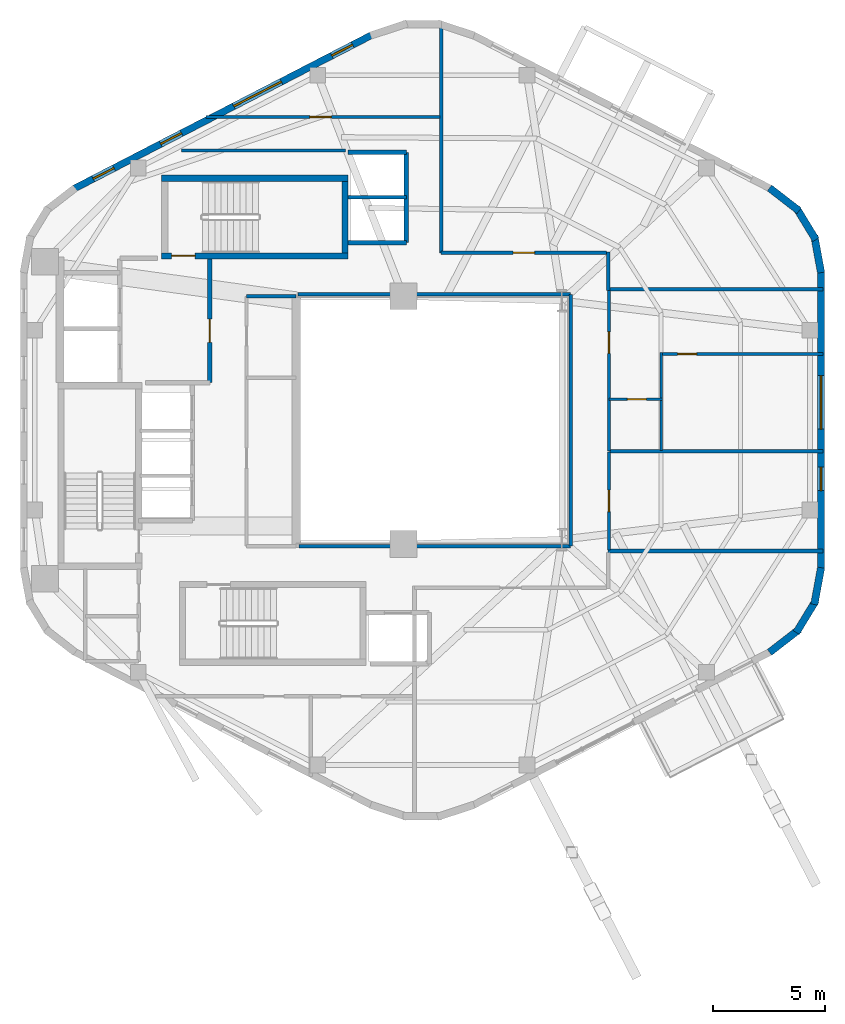
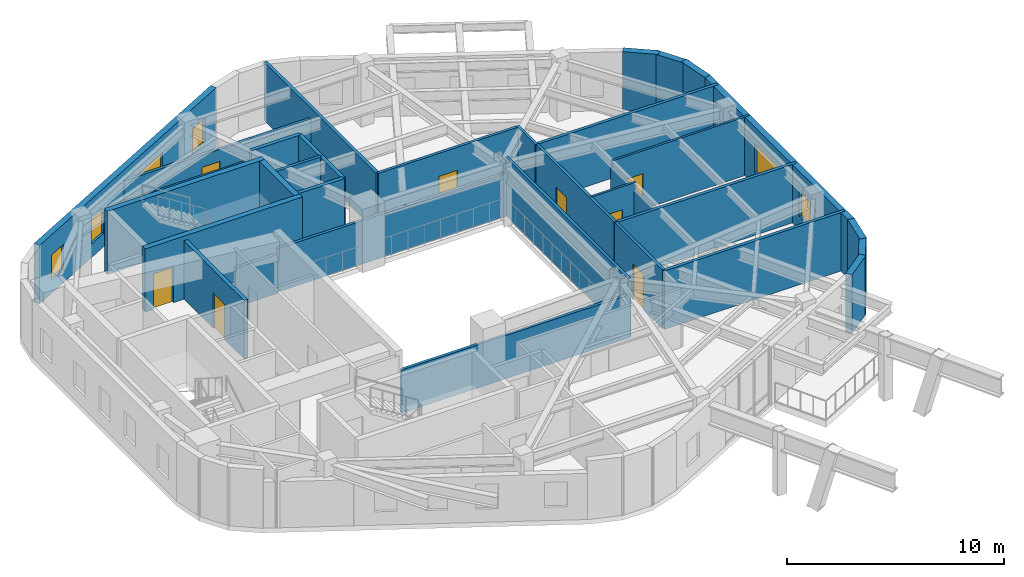
# One storey, part 8 of 10: 33 walls, 8 doors, 6 windows, 14 openings.
"""IFC4 building model written with IfcOpenShell, lengths in metres."""

from ifc_helpers import new_model, si_unit, direction, frame, frame_2d, origin, place, context, subcontext, project, spatial, rectangle, extrude, material, layer, layer_set, type_object, element, fill, save


model = new_model("IFC4")

# Units and contexts
model_context = context("Model", 3, precision=1e-05, world=origin(), true_north=direction((0.0, 1.0)))
body_context = subcontext(model_context, "Body", "Model", "MODEL_VIEW")
ifc_project = project(units=[si_unit("LENGTHUNIT", "METRE"), si_unit("AREAUNIT", "SQUARE_METRE"), si_unit("VOLUMEUNIT", "CUBIC_METRE"), si_unit("PLANEANGLEUNIT", "RADIAN"), si_unit("MASSUNIT", "GRAM", prefix="KILO"), si_unit("THERMODYNAMICTEMPERATUREUNIT", "KELVIN"), si_unit("POWERUNIT", "WATT")], contexts=[model_context])

# Site, building, storey
site_placement = place(None, origin())
site = spatial("IfcSite", under=ifc_project, at=site_placement, CompositionType="ELEMENT")
building_placement = place(site_placement, origin())
building = spatial("IfcBuilding", under=site, at=building_placement, Name="Skarre Station Tower", CompositionType="ELEMENT")
storey_placement = place(building_placement, frame((0.0, 0.0, 224.14990234375)))
storey = spatial("IfcBuildingStorey", under=building, at=storey_placement, Name="L61", CompositionType="ELEMENT", Elevation=224.14990234375)

# Walls
ifc_material_1 = material(Name="Acoustic Steel-Stud Gypsum Partition", Category="steel")
ifc_layer_1 = layer(ifc_material_1, 0.14990234375, Name="Acoustic Steel-Stud Gypsum Partition")
ifc_layer_set_1 = layer_set([ifc_layer_1], Name="Acoustic Steel-Stud Gypsum Partition")
wall_type_1 = type_object("IfcWallType", Name="Fire-Rated Corridor Acoustic Partition 150", PredefinedType="PARTITIONING", material=ifc_layer_set_1)
wall_1_placement = place(storey_placement, frame((27.550048828125, 29.550048828125, 0.0), z_axis=(0.0, 0.0, 1.0), x_axis=(-1.0, 0.0, 0.0)))
element("IfcWall", 1, at=wall_1_placement, inside=storey, type_object=wall_type_1, Name="L61 Interior Partition WL-PT-L61-RC2-N", PredefinedType="PARTITIONING", context=body_context, shape_type="SweptSolid", body=[
    extrude(rectangle(XDim=2.22998046875, YDim=0.14990234375, at=frame_2d((1.114990234375, 0.0))), origin(), (0.0, 0.0, 1.0), 2.190185546875),
])
wall_2_placement = place(storey_placement, frame((27.675048828125, 18.360107421875, 0.0), z_axis=(0.0, 0.0, 1.0), x_axis=(1.0, 0.0, 0.0)))
element("IfcWall", 2, at=wall_2_placement, inside=storey, type_object=wall_type_1, Name="L61 Interior Partition WL-PT-L61-ATRW-S", PredefinedType="PARTITIONING", context=body_context, shape_type="SweptSolid", body=[
    extrude(rectangle(XDim=12.1650390625, YDim=0.14990234375, at=frame_2d((6.08251953125, 0.0))), origin(), (0.0, 0.0, 1.0), 2.43115234375),
])
wall_3_placement = place(storey_placement, frame((39.840087890625, 29.639892578125, 0.0), z_axis=(0.0, 0.0, 1.0), x_axis=(-1.0, 0.0, 0.0)))
element("IfcWall", 3, at=wall_3_placement, inside=storey, type_object=wall_type_1, Name="L61 Interior Partition WL-PT-L61-ATRW-N", PredefinedType="PARTITIONING", context=body_context, shape_type="SweptSolid", body=[
    extrude(rectangle(XDim=12.203125, YDim=0.14990234375, at=frame_2d((6.1015625, 0.0))), origin(), (0.0, 0.0, 1.0), 2.43115234375),
])
wall_4_placement = place(storey_placement, frame((39.840087890625, 18.360107421875, 0.0), z_axis=(0.0, 0.0, 1.0), x_axis=(0.0, 1.0, 0.0)))
element("IfcWall", 4, at=wall_4_placement, inside=storey, type_object=wall_type_1, Name="L61 Interior Partition WL-PT-L61-ATRW-E", PredefinedType="PARTITIONING", context=body_context, shape_type="SweptSolid", body=[
    extrude(rectangle(XDim=11.27978515625, YDim=0.14990234375, at=frame_2d((5.639892578125, 0.0))), origin(), (0.0, 0.0, 1.0), 3.2900390625),
])

# Wall, opening, door
wall_5_placement = place(storey_placement, frame((34.0, 37.580078125, 0.0), z_axis=(0.0, 0.0, 1.0), x_axis=(-1.0, 0.0, 0.0)))
wall_5 = element("IfcWall", 5, at=wall_5_placement, inside=storey, type_object=wall_type_1, Name="L61 Interior Partition WL-PT-L61-NWW1-CW", PredefinedType="PARTITIONING", context=body_context, shape_type="SweptSolid", body=[
    extrude(rectangle(XDim=10.5009765625, YDim=0.14990234375, at=frame_2d((5.25048828125, 0.0))), origin(), (0.0, 0.0, 1.0), 2.68212890625),
])
opening_1_placement = place(wall_5_placement, frame((4.87890625, 0.0, 0.0)))
opening_1 = element("IfcOpeningElement", 6, at=opening_1_placement, cuts=wall_5, Name="Opening DR-FD60", PredefinedType="OPENING", context=body_context, shape_type="SweptSolid", body=[
    extrude(rectangle(XDim=0.9599609375, YDim=2.0, at=frame_2d((0.47998046875, 1.0))), frame((0.0, 0.0849609375, 0.0), z_axis=(0.0, -1.0, 0.0), x_axis=(1.0, 0.0, 0.0)), (0.0, 0.0, 1.0), 0.169921875),
])
ifc_material_2 = material(Name="Nordic White-Oak Veneer Solid-Core Fire Leaf", Category="wood")
door_type_1 = type_object("IfcDoorType", Name="Corridor Suite Entry Fire Door FD60 960x2150", OperationType="SINGLE_SWING_LEFT", PredefinedType="DOOR", material=ifc_material_2)
door_1_placement = place(opening_1_placement, origin())
door_1 = element("IfcDoor", 7, at=door_1_placement, inside=storey, type_object=door_type_1, Name="L61 NWW1 Entry Door", OperationType="SINGLE_SWING_LEFT", OverallHeight=2.0, OverallWidth=0.9599609375, PredefinedType="DOOR", context=body_context, shape_type="SweptSolid", body=[
    extrude(rectangle(XDim=0.9599609375, YDim=2.0, at=frame_2d((0.47998046875, 1.0))), frame((0.0, 0.02490234375, 0.0), z_axis=(0.0, -1.0, 0.0), x_axis=(1.0, 0.0, 0.0)), (0.0, 0.0, 1.0), 0.050048828125),
])
fill(opening_1, door_1)

# Wall
wall_6_placement = place(storey_placement, frame((41.52001953125, 29.820068359375, 0.0), z_axis=(0.0, 0.0, 1.0), x_axis=(0.0, 1.0, 0.0)))
element("IfcWall", 8, at=wall_6_placement, inside=storey, type_object=wall_type_1, Name="L61 Interior Partition WL-PT-L61-CORR-NER", PredefinedType="PARTITIONING", context=body_context, shape_type="SweptSolid", body=[
    extrude(rectangle(XDim=1.719970703125, YDim=0.14990234375, at=frame_2d((0.85986328125, 0.0))), origin(), (0.0, 0.0, 1.0), 3.2900390625),
])

# Wall, opening, door
wall_7_placement = place(storey_placement, frame((41.4599609375, 31.5, 0.0), z_axis=(0.0, 0.0, 1.0), x_axis=(-1.0, 0.0, 0.0)))
wall_7 = element("IfcWall", 9, at=wall_7_placement, inside=storey, type_object=wall_type_1, Name="L61 Interior Partition WL-PT-L61-NW1-CW", PredefinedType="PARTITIONING", context=body_context, shape_type="SweptSolid", body=[
    extrude(rectangle(XDim=7.419921875, YDim=0.14990234375, at=frame_2d((3.7099609375, 0.0))), origin(), (0.0, 0.0, 1.0), 3.2900390625),
])
opening_2_placement = place(wall_7_placement, frame((3.22998046875, 0.0, 0.0)))
opening_2 = element("IfcOpeningElement", 10, at=opening_2_placement, cuts=wall_7, Name="Opening DR-FD60", PredefinedType="OPENING", context=body_context, shape_type="SweptSolid", body=[
    extrude(rectangle(XDim=0.9599609375, YDim=2.0, at=frame_2d((0.47998046875, 1.0))), frame((0.0, 0.0849609375, 0.0), z_axis=(0.0, -1.0, 0.0), x_axis=(1.0, 0.0, 0.0)), (0.0, 0.0, 1.0), 0.169921875),
])
door_2_placement = place(opening_2_placement, origin())
door_2 = element("IfcDoor", 11, at=door_2_placement, inside=storey, type_object=door_type_1, Name="L61 NW1 Entry Door", OperationType="SINGLE_SWING_LEFT", OverallHeight=2.0, OverallWidth=0.9599609375, PredefinedType="DOOR", context=body_context, shape_type="SweptSolid", body=[
    extrude(rectangle(XDim=0.9599609375, YDim=2.0, at=frame_2d((0.47998046875, 1.0))), frame((0.0, 0.02490234375, 0.0), z_axis=(0.0, -1.0, 0.0), x_axis=(1.0, 0.0, 0.0)), (0.0, 0.0, 1.0), 0.050048828125),
])
fill(opening_2, door_2)

wall_8_placement = place(storey_placement, frame((41.56005859375, 18.179931640625, 0.0), z_axis=(0.0, 0.0, 1.0), x_axis=(0.0, 1.0, 0.0)))
wall_8 = element("IfcWall", 12, at=wall_8_placement, inside=storey, type_object=wall_type_1, Name="L61 Interior Partition WL-PT-L61-EW1-CW", PredefinedType="PARTITIONING", context=body_context, shape_type="SweptSolid", body=[
    extrude(rectangle(XDim=4.405029296875, YDim=0.14990234375, at=frame_2d((2.20263671875, 0.0))), origin(), (0.0, 0.0, 1.0), 3.2900390625),
])
opening_3_placement = place(wall_8_placement, frame((1.722900390625, 0.0, 0.0)))
opening_3 = element("IfcOpeningElement", 13, at=opening_3_placement, cuts=wall_8, Name="Opening DR-FD60", PredefinedType="OPENING", context=body_context, shape_type="SweptSolid", body=[
    extrude(rectangle(XDim=0.9599609375, YDim=2.0, at=frame_2d((0.47998046875, 1.0))), frame((0.0, 0.0849609375, 0.0), z_axis=(0.0, -1.0, 0.0), x_axis=(1.0, 0.0, 0.0)), (0.0, 0.0, 1.0), 0.169921875),
])
door_3_placement = place(opening_3_placement, origin())
door_3 = element("IfcDoor", 14, at=door_3_placement, inside=storey, type_object=door_type_1, Name="L61 EW1 Entry Door", OperationType="SINGLE_SWING_LEFT", OverallHeight=2.0, OverallWidth=0.9599609375, PredefinedType="DOOR", context=body_context, shape_type="SweptSolid", body=[
    extrude(rectangle(XDim=0.9599609375, YDim=2.0, at=frame_2d((0.47998046875, 1.0))), frame((0.0, 0.02490234375, 0.0), z_axis=(0.0, -1.0, 0.0), x_axis=(1.0, 0.0, 0.0)), (0.0, 0.0, 1.0), 0.050048828125),
])
fill(opening_3, door_3)

wall_9_placement = place(storey_placement, frame((41.56005859375, 22.62109375, 0.0), z_axis=(0.0, 0.0, 1.0), x_axis=(0.0, 1.0, 0.0)))
wall_9 = element("IfcWall", 15, at=wall_9_placement, inside=storey, type_object=wall_type_1, Name="L61 Interior Partition WL-PT-L61-EW2-CW", PredefinedType="PARTITIONING", context=body_context, shape_type="SweptSolid", body=[
    extrude(rectangle(XDim=7.198974609375, YDim=0.14990234375, at=frame_2d((3.599609375, 0.0))), origin(), (0.0, 0.0, 1.0), 3.2900390625),
])
opening_4_placement = place(wall_9_placement, frame((4.3701171875, 0.0, 0.0)))
opening_4 = element("IfcOpeningElement", 16, at=opening_4_placement, cuts=wall_9, Name="Opening DR-FD60", PredefinedType="OPENING", context=body_context, shape_type="SweptSolid", body=[
    extrude(rectangle(XDim=0.9599609375, YDim=2.0, at=frame_2d((0.47998046875, 1.0))), frame((0.0, 0.0849609375, 0.0), z_axis=(0.0, -1.0, 0.0), x_axis=(1.0, 0.0, 0.0)), (0.0, 0.0, 1.0), 0.169921875),
])
door_4_placement = place(opening_4_placement, origin())
door_4 = element("IfcDoor", 17, at=door_4_placement, inside=storey, type_object=door_type_1, Name="L61 EW2 Entry Door", OperationType="SINGLE_SWING_LEFT", OverallHeight=2.0, OverallWidth=0.9599609375, PredefinedType="DOOR", context=body_context, shape_type="SweptSolid", body=[
    extrude(rectangle(XDim=0.9599609375, YDim=2.0, at=frame_2d((0.47998046875, 1.0))), frame((0.0, 0.02490234375, 0.0), z_axis=(0.0, -1.0, 0.0), x_axis=(1.0, 0.0, 0.0)), (0.0, 0.0, 1.0), 0.050048828125),
])
fill(opening_4, door_4)

# Walls
wall_10_placement = place(storey_placement, frame((29.7529296875, 36.080078125, 0.0), z_axis=(0.0, 0.0, 1.0), x_axis=(-1.0, 0.0, 0.0)))
element("IfcWall", 18, at=wall_10_placement, inside=storey, type_object=wall_type_1, Name="L61 Interior Partition WL-PT-L61-CSEAL-1", PredefinedType="PARTITIONING", context=body_context, shape_type="SweptSolid", body=[
    extrude(rectangle(XDim=7.35302734375, YDim=0.14990234375, at=frame_2d((3.676513671875, 0.0))), origin(), (0.0, 0.0, 1.0), 2.68212890625),
])
ifc_material_3 = material(Name="Insulated Timber-Stud Gypsum Partition", Category="wood")
ifc_layer_2 = layer(ifc_material_3, 0.1201171875, Name="Insulated Timber-Stud Gypsum Partition")
ifc_layer_set_2 = layer_set([ifc_layer_2], Name="Insulated Timber-Stud Gypsum Partition")
wall_type_2 = type_object("IfcWallType", Name="Internal Suite Acoustic Partition 120", PredefinedType="PARTITIONING", material=ifc_layer_set_2)
wall_11_placement = place(storey_placement, frame((43.89990234375, 22.637939453125, 0.0), z_axis=(0.0, 0.0, 1.0), x_axis=(0.0, 1.0, 0.0)))
element("IfcWall", 19, at=wall_11_placement, inside=storey, type_object=wall_type_2, Name="L61 Interior Partition WL-PT-L61-EW2-BW1", PredefinedType="PARTITIONING", context=body_context, shape_type="SweptSolid", body=[
    extrude(rectangle(XDim=4.38916015625, YDim=0.1201171875, at=frame_2d((2.194580078125, 0.0))), origin(), (0.0, 0.0, 1.0), 2.88720703125),
])

# Wall, opening, door
wall_12_placement = place(storey_placement, frame((43.9599609375, 24.93798828125, 0.0), z_axis=(0.0, 0.0, 1.0), x_axis=(-1.0, 0.0, 0.0)))
wall_12 = element("IfcWall", 20, at=wall_12_placement, inside=storey, type_object=wall_type_2, Name="L61 Interior Partition WL-PT-L61-EW2-BW2", PredefinedType="PARTITIONING", context=body_context, shape_type="SweptSolid", body=[
    extrude(rectangle(XDim=2.409912109375, YDim=0.1201171875, at=frame_2d((1.205078125, 0.0))), origin(), (0.0, 0.0, 1.0), 3.2900390625),
])
opening_5_placement = place(wall_12_placement, frame((0.719970703125, 0.0, 0.0)))
opening_5 = element("IfcOpeningElement", 21, at=opening_5_placement, cuts=wall_12, Name="Opening DR-INT86", PredefinedType="OPENING", context=body_context, shape_type="SweptSolid", body=[
    extrude(rectangle(XDim=0.860107421875, YDim=2.0, at=frame_2d((0.43017578125, 1.0))), frame((0.0, 0.070068359375, 0.0), z_axis=(0.0, -1.0, 0.0), x_axis=(1.0, 0.0, 0.0)), (0.0, 0.0, 1.0), 0.14013671875),
])
ifc_material_4 = material(Name="Nordic Birch Acoustic Solid-Core Timber Leaf", Category="wood")
door_type_2 = type_object("IfcDoorType", Name="Internal En-Suite & Bedroom Door 860x2100", OperationType="SINGLE_SWING_LEFT", PredefinedType="DOOR", material=ifc_material_4)
door_5_placement = place(opening_5_placement, origin())
door_5 = element("IfcDoor", 22, at=door_5_placement, inside=storey, type_object=door_type_2, Name="L61 EW2 Residence Bathroom Door", OperationType="SINGLE_SWING_LEFT", OverallHeight=2.0, OverallWidth=0.860107421875, PredefinedType="DOOR", context=body_context, shape_type="SweptSolid", body=[
    extrude(rectangle(XDim=0.860107421875, YDim=2.0, at=frame_2d((0.43017578125, 1.0))), frame((0.0, 0.02490234375, 0.0), z_axis=(0.0, -1.0, 0.0), x_axis=(1.0, 0.0, 0.0)), (0.0, 0.0, 1.0), 0.050048828125),
])
fill(opening_5, door_5)

wall_13_placement = place(storey_placement, frame((43.89990234375, 26.967041015625, 0.0), z_axis=(0.0, 0.0, 1.0), x_axis=(1.0, 0.0, 0.0)))
wall_13 = element("IfcWall", 23, at=wall_13_placement, inside=storey, type_object=wall_type_2, Name="L61 Interior Partition WL-PT-L61-EW2-BDW", PredefinedType="PARTITIONING", context=body_context, shape_type="SweptSolid", body=[
    extrude(rectangle(XDim=7.2431640625, YDim=0.1201171875, at=frame_2d((3.62158203125, 0.0))), origin(), (0.0, 0.0, 1.0), 3.2900390625),
])
opening_6_placement = place(wall_13_placement, frame((0.72998046875, 0.0, 0.0)))
opening_6 = element("IfcOpeningElement", 24, at=opening_6_placement, cuts=wall_13, Name="Opening DR-INT86", PredefinedType="OPENING", context=body_context, shape_type="SweptSolid", body=[
    extrude(rectangle(XDim=0.860107421875, YDim=2.0, at=frame_2d((0.43017578125, 1.0))), frame((0.0, 0.070068359375, 0.0), z_axis=(0.0, -1.0, 0.0), x_axis=(1.0, 0.0, 0.0)), (0.0, 0.0, 1.0), 0.14013671875),
])
door_6_placement = place(opening_6_placement, origin())
door_6 = element("IfcDoor", 25, at=door_6_placement, inside=storey, type_object=door_type_2, Name="L61 EW2 Master Bedroom Door", OperationType="SINGLE_SWING_RIGHT", OverallHeight=2.0, OverallWidth=0.860107421875, PredefinedType="DOOR", context=body_context, shape_type="SweptSolid", body=[
    extrude(rectangle(XDim=0.860107421875, YDim=2.0, at=frame_2d((0.43017578125, 1.0))), frame((0.0, 0.02490234375, 0.0), z_axis=(0.0, -1.0, 0.0), x_axis=(1.0, 0.0, 0.0)), (0.0, 0.0, 1.0), 0.050048828125),
])
fill(opening_6, door_6)

# Walls
ifc_material_5 = material(Name="Precast concrete C45/55", Category="concrete")
ifc_layer_3 = layer(ifc_material_5, 0.330078125, Name="Precast concrete C45/55")
ifc_layer_set_3 = layer_set([ifc_layer_3], Name="Precast concrete C45/55")
wall_type_3 = type_object("IfcWallType", Name="Nordic Rounded Corner Precast Wall 330", PredefinedType="STANDARD", material=ifc_layer_set_3)
wall_14_placement = place(storey_placement, frame((48.7529296875, 34.40087890625, 0.0), z_axis=(0.0, 0.0, 1.0), x_axis=(0.790691856293, -0.61221433207, 0.0)))
element("IfcWall", 26, at=wall_14_placement, inside=storey, type_object=wall_type_3, Name="L61 Rounded Corner Precast Wall F0-1", PredefinedType="STANDARD", context=body_context, shape_type="SweptSolid", body=[
    extrude(rectangle(XDim=1.67578125, YDim=0.330078125, at=frame_2d((0.837890625, 0.0))), origin(), (0.0, 0.0, 1.0), 3.2900390625),
])
wall_15_placement = place(storey_placement, frame((49.952880859375, 33.514892578125, 0.0), z_axis=(0.0, 0.0, 1.0), x_axis=(0.520325409202, -0.853968072318, 0.0)))
element("IfcWall", 27, at=wall_15_placement, inside=storey, type_object=wall_type_3, Name="L61 Rounded Corner Precast Wall F0-2", PredefinedType="STANDARD", context=body_context, shape_type="SweptSolid", body=[
    extrude(rectangle(XDim=1.677978515625, YDim=0.330078125, at=frame_2d((0.8388671875, 0.0))), origin(), (0.0, 0.0, 1.0), 3.2900390625),
])
for number, where, z_axis, x_axis, name in (
    (28, (50.759033203125, 32.257080078125, 0.0), (0.0, 0.0, 1.0), (0.180691763044, -0.983539773862, 0.0), "L61 Rounded Corner Precast Wall F0-3"),
    (29, (51.06201171875, 17.39208984375, 0.0), (0.0, 0.0, 1.0), (-0.180691763044, -0.983539773862, 0.0), "L61 Rounded Corner Precast Wall F5-1"),
):
    element("IfcWall", number, at=place(storey_placement, frame(where, z_axis=z_axis, x_axis=x_axis)), inside=storey, type_object=wall_type_3, Name=name, PredefinedType="STANDARD", context=body_context, shape_type="SweptSolid", body=[
        extrude(rectangle(XDim=1.6767578125, YDim=0.330078125, at=frame_2d((0.83837890625, 0.0))), origin(), (0.0, 0.0, 1.0), 3.2900390625),
    ])
wall_16_placement = place(storey_placement, frame((50.825927734375, 15.91796875, 0.0), z_axis=(0.0, 0.0, 1.0), x_axis=(-0.520325409202, -0.853968072318, 0.0)))
element("IfcWall", 30, at=wall_16_placement, inside=storey, type_object=wall_type_3, Name="L61 Rounded Corner Precast Wall F5-2", PredefinedType="STANDARD", context=body_context, shape_type="SweptSolid", body=[
    extrude(rectangle(XDim=1.677978515625, YDim=0.330078125, at=frame_2d((0.8388671875, 0.0))), origin(), (0.0, 0.0, 1.0), 3.2900390625),
])
wall_17_placement = place(storey_placement, frame((50.077880859375, 14.625, 0.0), z_axis=(0.0, 0.0, 1.0), x_axis=(-0.790691856293, -0.61221433207, 0.0)))
element("IfcWall", 31, at=wall_17_placement, inside=storey, type_object=wall_type_3, Name="L61 Rounded Corner Precast Wall F5-3", PredefinedType="STANDARD", context=body_context, shape_type="SweptSolid", body=[
    extrude(rectangle(XDim=1.67578125, YDim=0.330078125, at=frame_2d((0.837890625, 0.0))), origin(), (0.0, 0.0, 1.0), 3.2900390625),
])

# Wall, openings, windows
ifc_layer_4 = layer(ifc_material_5, 0.31005859375, Name="Precast concrete C45/55")
ifc_layer_set_4 = layer_set([ifc_layer_4], Name="Precast concrete C45/55")
wall_type_4 = type_object("IfcWallType", Name="Nordic Upper-Zone Precast Facet Wall 310", PredefinedType="STANDARD", material=ifc_layer_set_4)
wall_18_placement = place(storey_placement, frame((17.56591796875, 34.35400390625, 0.0), z_axis=(0.0, 0.0, 1.0), x_axis=(0.888581481622, 0.458718814218, 0.0)))
wall_18 = element("IfcWall", 32, at=wall_18_placement, inside=storey, type_object=wall_type_4, Name="L61 Facet 1 Nordic Precast Masonry Wall", PredefinedType="STANDARD", context=body_context, shape_type="SweptSolid", body=[
    extrude(rectangle(XDim=15.076904296875, YDim=0.31005859375, at=frame_2d((7.53857421875, 0.0))), origin(), (0.0, 0.0, 1.0), 3.2900390625),
])
opening_7_placement = place(wall_18_placement, frame((0.998046875, 0.0, 0.75)))
opening_7 = element("IfcOpeningElement", 33, at=opening_7_placement, cuts=wall_18, Name="Opening WN-SLT", PredefinedType="OPENING", context=body_context, shape_type="SweptSolid", body=[
    extrude(rectangle(XDim=1.050048828125, YDim=1.39990234375, at=frame_2d((0.52490234375, 0.699951171875))), frame((0.0, 0.1650390625, 0.0), z_axis=(0.0, -1.0, 0.0), x_axis=(1.0, 0.0, 0.0)), (0.0, 0.0, 1.0), 0.330078125),
])
opening_8_placement = place(wall_18_placement, frame((4.403076171875, 0.0, 0.75)))
opening_8 = element("IfcOpeningElement", 34, at=opening_8_placement, cuts=wall_18, Name="Opening WN-SLT", PredefinedType="OPENING", context=body_context, shape_type="SweptSolid", body=[
    extrude(rectangle(XDim=1.050048828125, YDim=1.39990234375, at=frame_2d((0.52490234375, 0.699951171875))), frame((0.0, 0.1650390625, 0.0), z_axis=(0.0, -1.0, 0.0), x_axis=(1.0, 0.0, 0.0)), (0.0, 0.0, 1.0), 0.330078125),
])
opening_9_placement = place(wall_18_placement, frame((8.0859375, 0.0, 0.75)))
opening_9 = element("IfcOpeningElement", 35, at=opening_9_placement, cuts=wall_18, Name="Opening WN-Z4A", PredefinedType="OPENING", context=body_context, shape_type="SweptSolid", body=[
    extrude(rectangle(XDim=2.39990234375, YDim=1.60009765625, at=frame_2d((1.199951171875, 0.800048828125))), frame((0.0, 0.1650390625, 0.0), z_axis=(0.0, -1.0, 0.0), x_axis=(1.0, 0.0, 0.0)), (0.0, 0.0, 1.0), 0.330078125),
])
opening_10_placement = place(wall_18_placement, frame((13.029052734375, 0.0, 0.75)))
opening_10 = element("IfcOpeningElement", 36, at=opening_10_placement, cuts=wall_18, Name="Opening WN-SLT", PredefinedType="OPENING", context=body_context, shape_type="SweptSolid", body=[
    extrude(rectangle(XDim=1.050048828125, YDim=1.39990234375, at=frame_2d((0.52490234375, 0.699951171875))), frame((0.0, 0.1650390625, 0.0), z_axis=(0.0, -1.0, 0.0), x_axis=(1.0, 0.0, 0.0)), (0.0, 0.0, 1.0), 0.330078125),
])
ifc_material_6 = material(Name="Low-Iron Triple Glazing with Bronze Anodized Frame", Category="glass")
window_type_1 = type_object("IfcWindowType", Name="Nordic Corner Slot Window 1050x1400", PartitioningType="SINGLE_PANEL", PredefinedType="WINDOW", material=ifc_material_6)
window_1_placement = place(opening_7_placement, origin())
window_1 = element("IfcWindow", 37, at=window_1_placement, inside=storey, type_object=window_type_1, Name="L61 Facade Window WL-FAC-L61-F1-1", OverallHeight=1.39990234375, OverallWidth=1.050048828125, PartitioningType="SINGLE_PANEL", PredefinedType="WINDOW", context=body_context, shape_type="SweptSolid", body=[
    extrude(rectangle(XDim=1.050048828125, YDim=1.39990234375, at=frame_2d((0.52490234375, 0.699951171875))), frame((0.0, 0.030029296875, 0.0), z_axis=(0.0, -1.0, 0.0), x_axis=(1.0, 0.0, 0.0)), (0.0, 0.0, 1.0), 0.06005859375),
])
fill(opening_7, window_1)
window_2_placement = place(opening_8_placement, origin())
window_2 = element("IfcWindow", 38, at=window_2_placement, inside=storey, type_object=window_type_1, Name="L61 Facade Window WL-FAC-L61-F1-2", OverallHeight=1.39990234375, OverallWidth=1.050048828125, PartitioningType="SINGLE_PANEL", PredefinedType="WINDOW", context=body_context, shape_type="SweptSolid", body=[
    extrude(rectangle(XDim=1.050048828125, YDim=1.39990234375, at=frame_2d((0.52490234375, 0.699951171875))), frame((0.0, 0.030029296875, 0.0), z_axis=(0.0, -1.0, 0.0), x_axis=(1.0, 0.0, 0.0)), (0.0, 0.0, 1.0), 0.06005859375),
])
fill(opening_8, window_2)
window_3_placement = place(opening_10_placement, origin())
window_3 = element("IfcWindow", 39, at=window_3_placement, inside=storey, type_object=window_type_1, Name="L61 Facade Window WL-FAC-L61-F1-4", OverallHeight=1.39990234375, OverallWidth=1.050048828125, PartitioningType="SINGLE_PANEL", PredefinedType="WINDOW", context=body_context, shape_type="SweptSolid", body=[
    extrude(rectangle(XDim=1.050048828125, YDim=1.39990234375, at=frame_2d((0.52490234375, 0.699951171875))), frame((0.0, 0.030029296875, 0.0), z_axis=(0.0, -1.0, 0.0), x_axis=(1.0, 0.0, 0.0)), (0.0, 0.0, 1.0), 0.06005859375),
])
fill(opening_10, window_3)
window_type_2 = type_object("IfcWindowType", Name="Nordic Crown Panorama Window 2400x1600", PartitioningType="SINGLE_PANEL", PredefinedType="WINDOW", material=ifc_material_6)
window_4_placement = place(opening_9_placement, origin())
window_4 = element("IfcWindow", 40, at=window_4_placement, inside=storey, type_object=window_type_2, Name="L61 Facade Window WL-FAC-L61-F1-3", OverallHeight=1.60009765625, OverallWidth=2.39990234375, PartitioningType="SINGLE_PANEL", PredefinedType="WINDOW", context=body_context, shape_type="SweptSolid", body=[
    extrude(rectangle(XDim=2.39990234375, YDim=1.60009765625, at=frame_2d((1.199951171875, 0.800048828125))), frame((0.0, 0.030029296875, 0.0), z_axis=(0.0, -1.0, 0.0), x_axis=(1.0, 0.0, 0.0)), (0.0, 0.0, 1.0), 0.06005859375),
])
fill(opening_9, window_4)

wall_19_placement = place(storey_placement, frame((51.05810546875, 30.701904296875, 0.0), z_axis=(0.0, 0.0, 1.0), x_axis=(0.0, -1.0, 0.0)))
wall_19 = element("IfcWall", 41, at=wall_19_placement, inside=storey, type_object=wall_type_4, Name="L61 Facet 5 Nordic Precast Masonry Wall", PredefinedType="STANDARD", context=body_context, shape_type="SweptSolid", body=[
    extrude(rectangle(XDim=13.40380859375, YDim=0.31005859375, at=frame_2d((6.701904296875, 0.0))), origin(), (0.0, 0.0, 1.0), 3.2900390625),
])
opening_11_placement = place(wall_19_placement, frame((4.7060546875, 0.0, 0.75)))
opening_11 = element("IfcOpeningElement", 42, at=opening_11_placement, cuts=wall_19, Name="Opening WN-Z4A", PredefinedType="OPENING", context=body_context, shape_type="SweptSolid", body=[
    extrude(rectangle(XDim=2.39990234375, YDim=1.60009765625, at=frame_2d((1.199951171875, 0.800048828125))), frame((0.0, 0.1650390625, 0.0), z_axis=(0.0, -1.0, 0.0), x_axis=(1.0, 0.0, 0.0)), (0.0, 0.0, 1.0), 0.330078125),
])
opening_12_placement = place(wall_19_placement, frame((8.806884765625, 0.0, 0.75)))
opening_12 = element("IfcOpeningElement", 43, at=opening_12_placement, cuts=wall_19, Name="Opening WN-SLT", PredefinedType="OPENING", context=body_context, shape_type="SweptSolid", body=[
    extrude(rectangle(XDim=1.050048828125, YDim=1.39990234375, at=frame_2d((0.52490234375, 0.699951171875))), frame((0.0, 0.1650390625, 0.0), z_axis=(0.0, -1.0, 0.0), x_axis=(1.0, 0.0, 0.0)), (0.0, 0.0, 1.0), 0.330078125),
])
window_5_placement = place(opening_12_placement, origin())
window_5 = element("IfcWindow", 44, at=window_5_placement, inside=storey, type_object=window_type_1, Name="L61 Facade Window WL-FAC-L61-F5-2", OverallHeight=1.39990234375, OverallWidth=1.050048828125, PartitioningType="SINGLE_PANEL", PredefinedType="WINDOW", context=body_context, shape_type="SweptSolid", body=[
    extrude(rectangle(XDim=1.050048828125, YDim=1.39990234375, at=frame_2d((0.52490234375, 0.699951171875))), frame((0.0, 0.030029296875, 0.0), z_axis=(0.0, -1.0, 0.0), x_axis=(1.0, 0.0, 0.0)), (0.0, 0.0, 1.0), 0.06005859375),
])
fill(opening_12, window_5)
window_6_placement = place(opening_11_placement, origin())
window_6 = element("IfcWindow", 45, at=window_6_placement, inside=storey, type_object=window_type_2, Name="L61 Facade Window WL-FAC-L61-F5-1", OverallHeight=1.60009765625, OverallWidth=2.39990234375, PartitioningType="SINGLE_PANEL", PredefinedType="WINDOW", context=body_context, shape_type="SweptSolid", body=[
    extrude(rectangle(XDim=2.39990234375, YDim=1.60009765625, at=frame_2d((1.199951171875, 0.800048828125))), frame((0.0, 0.030029296875, 0.0), z_axis=(0.0, -1.0, 0.0), x_axis=(1.0, 0.0, 0.0)), (0.0, 0.0, 1.0), 0.06005859375),
])
fill(opening_11, window_6)

# Wall, opening, door
ifc_material_7 = material(Name="Concrete C50/60", Category="concrete")
ifc_layer_5 = layer(ifc_material_7, 0.280029296875, Name="Concrete C50/60")
ifc_layer_set_5 = layer_set([ifc_layer_5], Name="Concrete C50/60")
wall_type_5 = type_object("IfcWallType", Name="RC Core Shear Wall 280", PredefinedType="SHEAR", material=ifc_layer_set_5)
wall_20_placement = place(storey_placement, frame((21.52001953125, 31.360107421875, 0.0), z_axis=(0.0, 0.0, 1.0), x_axis=(1.0, 0.0, 0.0)))
wall_20 = element("IfcWall", 46, at=wall_20_placement, inside=storey, type_object=wall_type_5, Name="L61 Stair ST-3 South Shear Wall", PredefinedType="SHEAR", context=body_context, shape_type="SweptSolid", body=[
    extrude(rectangle(XDim=8.35986328125, YDim=0.280029296875, at=frame_2d((4.179931640625, 0.0))), origin(), (0.0, 0.0, 1.0), 3.550048828125),
])
opening_13_placement = place(wall_20_placement, frame((0.449951171875, 0.0, 0.0)))
opening_13 = element("IfcOpeningElement", 47, at=opening_13_placement, cuts=wall_20, Name="Opening DR-FD90", PredefinedType="OPENING", context=body_context, shape_type="SweptSolid", body=[
    extrude(rectangle(XDim=1.050048828125, YDim=2.0, at=frame_2d((0.52490234375, 1.0))), frame((0.0, 0.14990234375, 0.0), z_axis=(0.0, -1.0, 0.0), x_axis=(1.0, 0.0, 0.0)), (0.0, 0.0, 1.0), 0.300048828125),
])
ifc_material_8 = material(Name="Fire-Rated Insulated Steel Frame & Timber Core Leaf", Category="steel")
door_type_3 = type_object("IfcDoorType", Name="Stair & FSAE Lobby Fire Door FD90 1050x2150", OperationType="SINGLE_SWING_RIGHT", PredefinedType="DOOR", material=ifc_material_8)
door_7_placement = place(opening_13_placement, origin())
door_7 = element("IfcDoor", 48, at=door_7_placement, inside=storey, type_object=door_type_3, Name="L61 Stair ST-3 & FSAE Lobby Direct Exit Door", OperationType="SINGLE_SWING_LEFT", OverallHeight=2.0, OverallWidth=1.050048828125, PredefinedType="DOOR", context=body_context, shape_type="SweptSolid", body=[
    extrude(rectangle(XDim=1.050048828125, YDim=2.0, at=frame_2d((0.52490234375, 1.0))), frame((0.0, 0.02490234375, 0.0), z_axis=(0.0, -1.0, 0.0), x_axis=(1.0, 0.0, 0.0)), (0.0, 0.0, 1.0), 0.050048828125),
])
fill(opening_13, door_7)

# Walls
wall_21_placement = place(storey_placement, frame((29.8798828125, 34.840087890625, 0.0), z_axis=(0.0, 0.0, 1.0), x_axis=(-1.0, 0.0, 0.0)))
element("IfcWall", 49, at=wall_21_placement, inside=storey, type_object=wall_type_5, Name="L61 Stair ST-3 North Shear Wall", PredefinedType="SHEAR", context=body_context, shape_type="SweptSolid", body=[
    extrude(rectangle(XDim=8.35986328125, YDim=0.280029296875, at=frame_2d((4.179931640625, 0.0))), origin(), (0.0, 0.0, 1.0), 3.550048828125),
])
wall_22_placement = place(storey_placement, frame((29.739990234375, 31.5, 0.0), z_axis=(0.0, 0.0, 1.0), x_axis=(0.0, 1.0, 0.0)))
element("IfcWall", 50, at=wall_22_placement, inside=storey, type_object=wall_type_5, Name="L61 Stair ST-3 East Shear Wall", PredefinedType="SHEAR", context=body_context, shape_type="SweptSolid", body=[
    extrude(rectangle(XDim=3.199951171875, YDim=0.280029296875, at=frame_2d((1.60009765625, 0.0))), origin(), (0.0, 0.0, 1.0), 3.550048828125),
])

# Wall, opening, door
ifc_material_9 = material(Name="Gypsum Concrete Shaft Assembly C30/37", Category="concrete")
ifc_layer_6 = layer(ifc_material_9, 0.199951171875, Name="Gypsum Concrete Shaft Assembly C30/37")
ifc_layer_set_6 = layer_set([ifc_layer_6], Name="Gypsum Concrete Shaft Assembly C30/37")
wall_type_6 = type_object("IfcWallType", Name="Shaft & Core Fire Partition 200", PredefinedType="PARTITIONING", material=ifc_layer_set_6)
wall_23_placement = place(storey_placement, frame((23.679931640625, 25.679931640625, 0.0), z_axis=(0.0, 0.0, 1.0), x_axis=(0.0, 1.0, 0.0)))
wall_23 = element("IfcWall", 51, at=wall_23_placement, inside=storey, type_object=wall_type_6, Name="L61 Interior Partition WL-PT-L61-FSAE-E", PredefinedType="PARTITIONING", context=body_context, shape_type="SweptSolid", body=[
    extrude(rectangle(XDim=5.5400390625, YDim=0.199951171875, at=frame_2d((2.77001953125, 0.0))), origin(), (0.0, 0.0, 1.0), 3.2900390625),
])
opening_14_placement = place(wall_23_placement, frame((1.800048828125, 0.0, 0.0)))
opening_14 = element("IfcOpeningElement", 52, at=opening_14_placement, cuts=wall_23, Name="Opening DR-FD90", PredefinedType="OPENING", context=body_context, shape_type="SweptSolid", body=[
    extrude(rectangle(XDim=1.050048828125, YDim=2.0, at=frame_2d((0.52490234375, 1.0))), frame((0.0, 0.10986328125, 0.0), z_axis=(0.0, -1.0, 0.0), x_axis=(1.0, 0.0, 0.0)), (0.0, 0.0, 1.0), 0.219970703125),
])
door_8_placement = place(opening_14_placement, origin())
door_8 = element("IfcDoor", 53, at=door_8_placement, inside=storey, type_object=door_type_3, Name="L61 FSAE Lobby Fire Door", OperationType="SINGLE_SWING_RIGHT", OverallHeight=2.0, OverallWidth=1.050048828125, PredefinedType="DOOR", context=body_context, shape_type="SweptSolid", body=[
    extrude(rectangle(XDim=1.050048828125, YDim=2.0, at=frame_2d((0.52490234375, 1.0))), frame((0.0, 0.02490234375, 0.0), z_axis=(0.0, -1.0, 0.0), x_axis=(1.0, 0.0, 0.0)), (0.0, 0.0, 1.0), 0.050048828125),
])
fill(opening_14, door_8)

# Walls
wall_24_placement = place(storey_placement, frame((32.47998046875, 31.949951171875, 0.0), z_axis=(0.0, 0.0, 1.0), x_axis=(0.0, 1.0, 0.0)))
element("IfcWall", 54, at=wall_24_placement, inside=storey, type_object=wall_type_6, Name="L61 Interior Partition WL-PT-L61-EX-E", PredefinedType="PARTITIONING", context=body_context, shape_type="SweptSolid", body=[
    extrude(rectangle(XDim=4.050048828125, YDim=0.199951171875, at=frame_2d((2.02490234375, 0.0))), origin(), (0.0, 0.0, 1.0), 3.2900390625),
])
for number, where, z_axis, x_axis, name in (
    (55, (29.8798828125, 36.0, 0.0), (0.0, 0.0, 1.0), (1.0, 0.0, 0.0), "L61 Interior Partition WL-PT-L61-EX-N"),
    (56, (32.47998046875, 31.949951171875, 0.0), (0.0, 0.0, 1.0), (-1.0, 0.0, 0.0), "L61 Interior Partition WL-PT-L61-EX-S"),
):
    element("IfcWall", number, at=place(storey_placement, frame(where, z_axis=z_axis, x_axis=x_axis)), inside=storey, type_object=wall_type_6, Name=name, PredefinedType="PARTITIONING", context=body_context, shape_type="SweptSolid", body=[
        extrude(rectangle(XDim=2.60009765625, YDim=0.199951171875, at=frame_2d((1.300048828125, 0.0))), origin(), (0.0, 0.0, 1.0), 3.2900390625),
    ])
wall_25_placement = place(storey_placement, frame((29.875, 33.97998046875, 0.0), z_axis=(0.0, 0.0, 1.0), x_axis=(1.0, 0.0, 0.0)))
element("IfcWall", 57, at=wall_25_placement, inside=storey, type_object=wall_type_6, Name="L61 Interior Partition WL-PT-L61-EX-DIV", PredefinedType="PARTITIONING", context=body_context, shape_type="SweptSolid", body=[
    extrude(rectangle(XDim=2.60498046875, YDim=0.159912109375, at=frame_2d((1.302490234375, 0.0))), origin(), (0.0, 0.0, 1.0), 3.2900390625),
])
ifc_layer_7 = layer(ifc_material_1, 0.1650390625, Name="Acoustic Steel-Stud Gypsum Partition")
ifc_layer_set_7 = layer_set([ifc_layer_7], Name="Acoustic Steel-Stud Gypsum Partition")
wall_type_7 = type_object("IfcWallType", Name="Suite Demising Acoustic Partition 165", PredefinedType="PARTITIONING", material=ifc_layer_set_7)
wall_26_placement = place(storey_placement, frame((34.0400390625, 31.5, 0.0), z_axis=(0.0, 0.0, 1.0), x_axis=(0.0, 1.0, 0.0)))
element("IfcWall", 58, at=wall_26_placement, inside=storey, type_object=wall_type_7, Name="L61 Interior Partition WL-PT-L61-NW-WBND", PredefinedType="PARTITIONING", context=body_context, shape_type="SweptSolid", body=[
    extrude(rectangle(XDim=10.318115234375, YDim=0.1650390625, at=frame_2d((5.1591796875, 0.0))), origin(), (0.0, 0.0, 1.0), 3.2900390625),
])
for number, where, z_axis, x_axis, name in (
    (59, (41.52001953125, 18.139892578125, 0.0), (0.0, 0.0, 1.0), (1.0, 0.0, 0.0), "L61 Interior Partition WL-PT-L61-EWB-S"),
    (60, (41.52001953125, 29.860107421875, 0.0), (0.0, 0.0, 1.0), (1.0, 0.0, 0.0), "L61 Interior Partition WL-PT-L61-EWB-N"),
):
    element("IfcWall", number, at=place(storey_placement, frame(where, z_axis=z_axis, x_axis=x_axis)), inside=storey, type_object=wall_type_7, Name=name, PredefinedType="PARTITIONING", context=body_context, shape_type="SweptSolid", body=[
        extrude(rectangle(XDim=9.623046875, YDim=0.1650390625, at=frame_2d((4.8115234375, 0.0))), origin(), (0.0, 0.0, 1.0), 3.2900390625),
    ])
wall_27_placement = place(storey_placement, frame((41.590087890625, 22.60302734375, 0.0), z_axis=(0.0, 0.0, 1.0), x_axis=(1.0, 0.0, 0.0)))
element("IfcWall", 61, at=wall_27_placement, inside=storey, type_object=wall_type_7, Name="L61 Interior Partition WL-PT-L61-EW-P1", PredefinedType="PARTITIONING", context=body_context, shape_type="SweptSolid", body=[
    extrude(rectangle(XDim=9.552978515625, YDim=0.1650390625, at=frame_2d((4.7763671875, 0.0))), origin(), (0.0, 0.0, 1.0), 3.2900390625),
])

save(model, "model.ifc")
